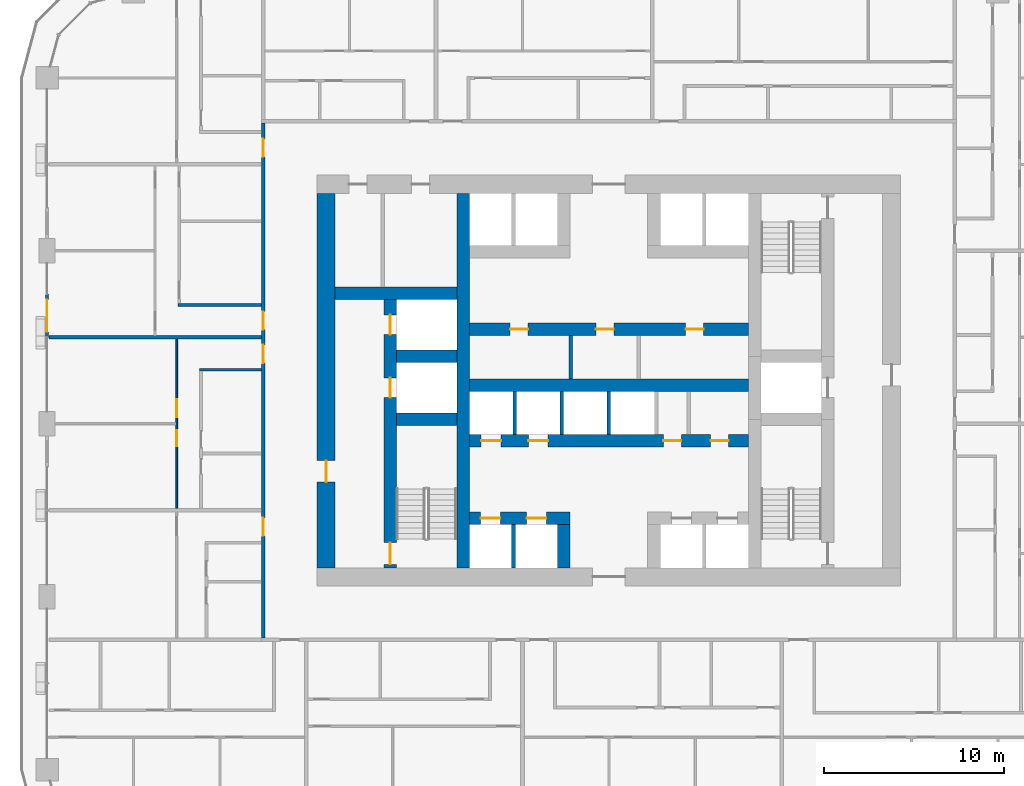
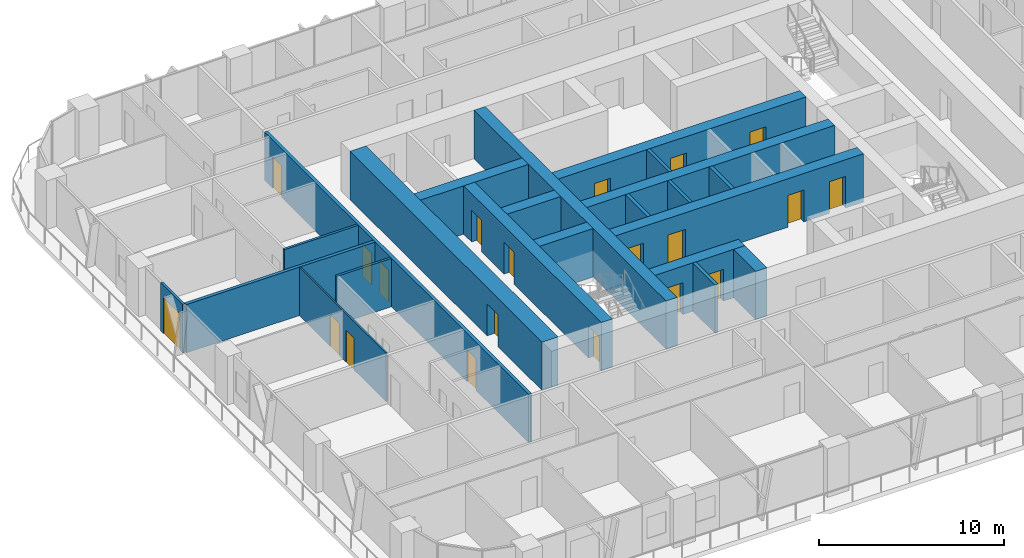
# One storey, part 10 of 21: 22 walls, 20 doors, 20 openings.
"""IFC4 building model written with IfcOpenShell, lengths in metres."""

from ifc_helpers import new_model, si_unit, direction, frame, frame_2d, origin, place, context, subcontext, project, spatial, rectangle, extrude, material, layer, layer_set, type_object, element, fill, save


model = new_model("IFC4")

# Units and contexts
model_context = context("Model", 3, precision=1e-05, world=origin(), true_north=direction((0.0, 1.0)))
body_context = subcontext(model_context, "Body", "Model", "MODEL_VIEW")
ifc_project = project(units=[si_unit("LENGTHUNIT", "METRE"), si_unit("AREAUNIT", "SQUARE_METRE"), si_unit("VOLUMEUNIT", "CUBIC_METRE"), si_unit("PLANEANGLEUNIT", "RADIAN"), si_unit("MASSUNIT", "GRAM", prefix="KILO")], contexts=[model_context])

# Site, building, storey
site_placement = place(None, origin())
site = spatial("IfcSite", under=ifc_project, at=site_placement, CompositionType="ELEMENT")
building_placement = place(site_placement, origin())
building = spatial("IfcBuilding", under=site, at=building_placement, Name="Madar Terraces", CompositionType="ELEMENT")
storey_placement = place(building_placement, frame((0.0, 0.0, 43.39990234375)))
storey = spatial("IfcBuildingStorey", under=building, at=storey_placement, Name="L10", CompositionType="ELEMENT", Elevation=43.39990234375)

# Wall, openings, doors
ifc_material_1 = material(Name="Concrete C80/95", Category="concrete")
ifc_layer_1 = layer(ifc_material_1, 0.699951171875)
ifc_layer_set_1 = layer_set([ifc_layer_1], Name="Concrete C80/95 (CIW1 RC wall 700)")
wall_type_1 = type_object("IfcWallType", Name="CIW1 RC wall 700", PredefinedType="SHEAR", material=ifc_layer_set_1)
wall_1_placement = place(storey_placement, frame((19.050048828125, 16.0, 0.0), z_axis=(0.0, 0.0, 1.0), x_axis=(0.0, 1.0, 0.0)))
wall_1 = element("IfcWall", 1, at=wall_1_placement, inside=storey, type_object=wall_type_1, Name="CORE SHAFT WALL", PredefinedType="SHEAR", context=body_context, shape_type="SweptSolid", body=[
    extrude(rectangle(XDim=14.89990234375, YDim=0.699951171875, at=frame_2d((7.449951171875, 0.0))), origin(), (0.0, 0.0, 1.0), 3.2001953125),
])
opening_1_placement = place(wall_1_placement, frame((9.449951171875, 0.0, 0.0)))
opening_1 = element("IfcOpeningElement", 2, at=opening_1_placement, cuts=wall_1, Name="Opening LD", PredefinedType="OPENING", context=body_context, shape_type="SweptSolid", body=[
    extrude(rectangle(XDim=1.10009765625, YDim=2.10009765625, at=frame_2d((0.550048828125, 1.050048828125))), frame((0.0, 0.35986328125, 0.0), z_axis=(0.0, -1.0, 0.0), x_axis=(1.0, 0.0, 0.0)), (0.0, 0.0, 1.0), 0.719970703125),
])
opening_2_placement = place(wall_1_placement, frame((12.949951171875, 0.0, 0.0)))
opening_2 = element("IfcOpeningElement", 3, at=opening_2_placement, cuts=wall_1, Name="Opening LD", PredefinedType="OPENING", context=body_context, shape_type="SweptSolid", body=[
    extrude(rectangle(XDim=1.10009765625, YDim=2.10009765625, at=frame_2d((0.550048828125, 1.050048828125))), frame((0.0, 0.35986328125, 0.0), z_axis=(0.0, -1.0, 0.0), x_axis=(1.0, 0.0, 0.0)), (0.0, 0.0, 1.0), 0.719970703125),
])
opening_3_placement = place(wall_1_placement, frame((0.199951171875, 0.0, 0.0)))
opening_3 = element("IfcOpeningElement", 4, at=opening_3_placement, cuts=wall_1, Name="Opening SD1", PredefinedType="OPENING", context=body_context, shape_type="SweptSolid", body=[
    extrude(rectangle(XDim=1.199951171875, YDim=2.10009765625, at=frame_2d((0.60009765625, 1.050048828125))), frame((0.0, 0.35986328125, 0.0), z_axis=(0.0, -1.0, 0.0), x_axis=(1.0, 0.0, 0.0)), (0.0, 0.0, 1.0), 0.719970703125),
])
ifc_material_2 = material(Name="Stainless steel panel", Category="steel")
door_type_1 = type_object("IfcDoorType", Name="Lift landing door 1100 x 2100", OperationType="DOUBLE_DOOR_SLIDING", PredefinedType="DOOR", material=ifc_material_2)
door_1_placement = place(opening_1_placement, origin())
door_1 = element("IfcDoor", 5, at=door_1_placement, inside=storey, type_object=door_type_1, Name="LIFT LANDING DOOR", OperationType="DOUBLE_DOOR_SLIDING", OverallHeight=2.10009765625, OverallWidth=1.10009765625, PredefinedType="DOOR", context=body_context, shape_type="SweptSolid", body=[
    extrude(rectangle(XDim=1.10009765625, YDim=2.10009765625, at=frame_2d((0.550048828125, 1.050048828125))), frame((0.0, 0.02490234375, 0.0), z_axis=(0.0, -1.0, 0.0), x_axis=(1.0, 0.0, 0.0)), (0.0, 0.0, 1.0), 0.050048828125),
])
fill(opening_1, door_1)
door_2_placement = place(opening_2_placement, origin())
door_2 = element("IfcDoor", 6, at=door_2_placement, inside=storey, type_object=door_type_1, Name="LIFT LANDING DOOR", OperationType="DOUBLE_DOOR_SLIDING", OverallHeight=2.10009765625, OverallWidth=1.10009765625, PredefinedType="DOOR", context=body_context, shape_type="SweptSolid", body=[
    extrude(rectangle(XDim=1.10009765625, YDim=2.10009765625, at=frame_2d((0.550048828125, 1.050048828125))), frame((0.0, 0.02490234375, 0.0), z_axis=(0.0, -1.0, 0.0), x_axis=(1.0, 0.0, 0.0)), (0.0, 0.0, 1.0), 0.050048828125),
])
fill(opening_2, door_2)
ifc_material_3 = material(Name="Steel door leaf", Category="steel")
door_type_2 = type_object("IfcDoorType", Name="Stair door 1200 x 2100", OperationType="NOTDEFINED", PredefinedType="DOOR", material=ifc_material_3)
door_3_placement = place(opening_3_placement, frame((1.199951171875, 0.0, 0.0), z_axis=(0.0, 0.0, 1.0), x_axis=(-1.0, 0.0, 0.0)))
door_3 = element("IfcDoor", 7, at=door_3_placement, inside=storey, type_object=door_type_2, Name="STAIR DOOR", OperationType="SINGLE_SWING_RIGHT", OverallHeight=2.10009765625, OverallWidth=1.199951171875, PredefinedType="DOOR", context=body_context, shape_type="SweptSolid", body=[
    extrude(rectangle(XDim=1.199951171875, YDim=2.10009765625, at=frame_2d((0.60009765625, 1.050048828125))), frame((0.0, 0.02490234375, 0.0), z_axis=(0.0, -1.0, 0.0), x_axis=(1.0, 0.0, 0.0)), (0.0, 0.0, 1.0), 0.050048828125),
])
fill(opening_3, door_3)

# Walls
wall_2_placement = place(storey_placement, frame((23.10009765625, 16.0, 0.0), z_axis=(0.0, 0.0, 1.0), x_axis=(0.0, 1.0, 0.0)))
element("IfcWall", 8, at=wall_2_placement, inside=storey, type_object=wall_type_1, Name="CORE SHAFT WALL", PredefinedType="SHEAR", context=body_context, shape_type="SweptSolid", body=[
    extrude(rectangle(XDim=20.800048828125, YDim=0.699951171875, at=frame_2d((10.39990234375, 0.0))), origin(), (0.0, 0.0, 1.0), 3.2001953125),
])
for number, where, z_axis, x_axis, name in (
    (9, (19.39990234375, 24.25, 0.0), (0.0, 0.0, 1.0), (1.0, 0.0, 0.0), "CORE SHAFT WALL"),
    (10, (19.39990234375, 27.75, 0.0), (0.0, 0.0, 1.0), (1.0, 0.0, 0.0), "CORE SHAFT WALL"),
):
    element("IfcWall", number, at=place(storey_placement, frame(where, z_axis=z_axis, x_axis=x_axis)), inside=storey, type_object=wall_type_1, Name=name, PredefinedType="SHEAR", context=body_context, shape_type="SweptSolid", body=[
        extrude(rectangle(XDim=3.35009765625, YDim=0.699951171875, at=frame_2d((1.675048828125, 0.0))), origin(), (0.0, 0.0, 1.0), 3.2001953125),
    ])
wall_3_placement = place(storey_placement, frame((16.0, 31.25, 0.0), z_axis=(0.0, 0.0, 1.0), x_axis=(1.0, 0.0, 0.0)))
element("IfcWall", 11, at=wall_3_placement, inside=storey, type_object=wall_type_1, Name="CORE SHAFT WALL", PredefinedType="SHEAR", context=body_context, shape_type="SweptSolid", body=[
    extrude(rectangle(XDim=6.75, YDim=0.699951171875, at=frame_2d((3.375, 0.0))), origin(), (0.0, 0.0, 1.0), 3.2001953125),
])

# Wall, openings, doors
wall_4_placement = place(storey_placement, frame((23.449951171875, 18.75, 0.0), z_axis=(0.0, 0.0, 1.0), x_axis=(1.0, 0.0, 0.0)))
wall_4 = element("IfcWall", 12, at=wall_4_placement, inside=storey, type_object=wall_type_1, Name="CORE SHAFT WALL", PredefinedType="SHEAR", context=body_context, shape_type="SweptSolid", body=[
    extrude(rectangle(XDim=5.60009765625, YDim=0.699951171875, at=frame_2d((2.800048828125, 0.0))), origin(), (0.0, 0.0, 1.0), 3.2001953125),
])
opening_4_placement = place(wall_4_placement, frame((0.625, 0.0, 0.0)))
opening_4 = element("IfcOpeningElement", 13, at=opening_4_placement, cuts=wall_4, Name="Opening LD", PredefinedType="OPENING", context=body_context, shape_type="SweptSolid", body=[
    extrude(rectangle(XDim=1.10009765625, YDim=2.10009765625, at=frame_2d((0.550048828125, 1.050048828125))), frame((0.0, 0.35986328125, 0.0), z_axis=(0.0, -1.0, 0.0), x_axis=(1.0, 0.0, 0.0)), (0.0, 0.0, 1.0), 0.719970703125),
])
opening_5_placement = place(wall_4_placement, frame((3.175048828125, 0.0, 0.0)))
opening_5 = element("IfcOpeningElement", 14, at=opening_5_placement, cuts=wall_4, Name="Opening LD", PredefinedType="OPENING", context=body_context, shape_type="SweptSolid", body=[
    extrude(rectangle(XDim=1.10009765625, YDim=2.10009765625, at=frame_2d((0.550048828125, 1.050048828125))), frame((0.0, 0.35986328125, 0.0), z_axis=(0.0, -1.0, 0.0), x_axis=(1.0, 0.0, 0.0)), (0.0, 0.0, 1.0), 0.719970703125),
])
door_4_placement = place(opening_4_placement, origin())
door_4 = element("IfcDoor", 15, at=door_4_placement, inside=storey, type_object=door_type_1, Name="LIFT LANDING DOOR", OperationType="DOUBLE_DOOR_SLIDING", OverallHeight=2.10009765625, OverallWidth=1.10009765625, PredefinedType="DOOR", context=body_context, shape_type="SweptSolid", body=[
    extrude(rectangle(XDim=1.10009765625, YDim=2.10009765625, at=frame_2d((0.550048828125, 1.050048828125))), frame((0.0, 0.02490234375, 0.0), z_axis=(0.0, -1.0, 0.0), x_axis=(1.0, 0.0, 0.0)), (0.0, 0.0, 1.0), 0.050048828125),
])
fill(opening_4, door_4)
door_5_placement = place(opening_5_placement, origin())
door_5 = element("IfcDoor", 16, at=door_5_placement, inside=storey, type_object=door_type_1, Name="LIFT LANDING DOOR", OperationType="DOUBLE_DOOR_SLIDING", OverallHeight=2.10009765625, OverallWidth=1.10009765625, PredefinedType="DOOR", context=body_context, shape_type="SweptSolid", body=[
    extrude(rectangle(XDim=1.10009765625, YDim=2.10009765625, at=frame_2d((0.550048828125, 1.050048828125))), frame((0.0, 0.02490234375, 0.0), z_axis=(0.0, -1.0, 0.0), x_axis=(1.0, 0.0, 0.0)), (0.0, 0.0, 1.0), 0.050048828125),
])
fill(opening_5, door_5)

wall_5_placement = place(storey_placement, frame((23.449951171875, 23.050048828125, 0.0), z_axis=(0.0, 0.0, 1.0), x_axis=(1.0, 0.0, 0.0)))
wall_5 = element("IfcWall", 17, at=wall_5_placement, inside=storey, type_object=wall_type_1, Name="CORE SHAFT WALL", PredefinedType="SHEAR", context=body_context, shape_type="SweptSolid", body=[
    extrude(rectangle(XDim=15.5, YDim=0.699951171875, at=frame_2d((7.75, 0.0))), origin(), (0.0, 0.0, 1.0), 3.2001953125),
])
opening_6_placement = place(wall_5_placement, frame((0.658447265625, 0.0, 0.0)))
opening_6 = element("IfcOpeningElement", 18, at=opening_6_placement, cuts=wall_5, Name="Opening LD", PredefinedType="OPENING", context=body_context, shape_type="SweptSolid", body=[
    extrude(rectangle(XDim=1.10009765625, YDim=2.10009765625, at=frame_2d((0.550048828125, 1.050048828125))), frame((0.0, 0.35986328125, 0.0), z_axis=(0.0, -1.0, 0.0), x_axis=(1.0, 0.0, 0.0)), (0.0, 0.0, 1.0), 0.719970703125),
])
opening_7_placement = place(wall_5_placement, frame((3.27490234375, 0.0, 0.0)))
opening_7 = element("IfcOpeningElement", 19, at=opening_7_placement, cuts=wall_5, Name="Opening LD", PredefinedType="OPENING", context=body_context, shape_type="SweptSolid", body=[
    extrude(rectangle(XDim=1.10009765625, YDim=2.10009765625, at=frame_2d((0.550048828125, 1.050048828125))), frame((0.0, 0.35986328125, 0.0), z_axis=(0.0, -1.0, 0.0), x_axis=(1.0, 0.0, 0.0)), (0.0, 0.0, 1.0), 0.719970703125),
])
opening_8_placement = place(wall_5_placement, frame((10.772216796875, 0.0, 0.0)))
opening_8 = element("IfcOpeningElement", 20, at=opening_8_placement, cuts=wall_5, Name="Opening KD2", PredefinedType="OPENING", context=body_context, shape_type="SweptSolid", body=[
    extrude(rectangle(XDim=1.0, YDim=2.10009765625, at=frame_2d((0.5, 1.050048828125))), frame((0.0, 0.35986328125, 0.0), z_axis=(0.0, -1.0, 0.0), x_axis=(1.0, 0.0, 0.0)), (0.0, 0.0, 1.0), 0.719970703125),
])
opening_9_placement = place(wall_5_placement, frame((13.388916015625, 0.0, 0.0)))
opening_9 = element("IfcOpeningElement", 21, at=opening_9_placement, cuts=wall_5, Name="Opening KD2", PredefinedType="OPENING", context=body_context, shape_type="SweptSolid", body=[
    extrude(rectangle(XDim=1.0, YDim=2.10009765625, at=frame_2d((0.5, 1.050048828125))), frame((0.0, 0.35986328125, 0.0), z_axis=(0.0, -1.0, 0.0), x_axis=(1.0, 0.0, 0.0)), (0.0, 0.0, 1.0), 0.719970703125),
])
door_6_placement = place(opening_6_placement, origin())
door_6 = element("IfcDoor", 22, at=door_6_placement, inside=storey, type_object=door_type_1, Name="LIFT LANDING DOOR", OperationType="DOUBLE_DOOR_SLIDING", OverallHeight=2.10009765625, OverallWidth=1.10009765625, PredefinedType="DOOR", context=body_context, shape_type="SweptSolid", body=[
    extrude(rectangle(XDim=1.10009765625, YDim=2.10009765625, at=frame_2d((0.550048828125, 1.050048828125))), frame((0.0, 0.02490234375, 0.0), z_axis=(0.0, -1.0, 0.0), x_axis=(1.0, 0.0, 0.0)), (0.0, 0.0, 1.0), 0.050048828125),
])
fill(opening_6, door_6)
door_7_placement = place(opening_7_placement, origin())
door_7 = element("IfcDoor", 23, at=door_7_placement, inside=storey, type_object=door_type_1, Name="LIFT LANDING DOOR", OperationType="DOUBLE_DOOR_SLIDING", OverallHeight=2.10009765625, OverallWidth=1.10009765625, PredefinedType="DOOR", context=body_context, shape_type="SweptSolid", body=[
    extrude(rectangle(XDim=1.10009765625, YDim=2.10009765625, at=frame_2d((0.550048828125, 1.050048828125))), frame((0.0, 0.02490234375, 0.0), z_axis=(0.0, -1.0, 0.0), x_axis=(1.0, 0.0, 0.0)), (0.0, 0.0, 1.0), 0.050048828125),
])
fill(opening_7, door_7)
ifc_material_4 = material(Name="Steel door leaf", Category="steel")
door_type_3 = type_object("IfcDoorType", Name="Service room door 1000 x 2100", OperationType="NOTDEFINED", PredefinedType="DOOR", material=ifc_material_4)
door_8_placement = place(opening_8_placement, frame((1.0, 0.0, 0.0), z_axis=(0.0, 0.0, 1.0), x_axis=(-1.0, 0.0, 0.0)))
door_8 = element("IfcDoor", 24, at=door_8_placement, inside=storey, type_object=door_type_3, Name="SERVICE ROOM DOOR", OperationType="SINGLE_SWING_LEFT", OverallHeight=2.10009765625, OverallWidth=1.0, PredefinedType="DOOR", context=body_context, shape_type="SweptSolid", body=[
    extrude(rectangle(XDim=1.0, YDim=2.10009765625, at=frame_2d((0.5, 1.050048828125))), frame((0.0, 0.02490234375, 0.0), z_axis=(0.0, -1.0, 0.0), x_axis=(1.0, 0.0, 0.0)), (0.0, 0.0, 1.0), 0.050048828125),
])
fill(opening_8, door_8)
door_9_placement = place(opening_9_placement, frame((1.0, 0.0, 0.0), z_axis=(0.0, 0.0, 1.0), x_axis=(-1.0, 0.0, 0.0)))
door_9 = element("IfcDoor", 25, at=door_9_placement, inside=storey, type_object=door_type_3, Name="SERVICE ROOM DOOR", OperationType="SINGLE_SWING_RIGHT", OverallHeight=2.10009765625, OverallWidth=1.0, PredefinedType="DOOR", context=body_context, shape_type="SweptSolid", body=[
    extrude(rectangle(XDim=1.0, YDim=2.10009765625, at=frame_2d((0.5, 1.050048828125))), frame((0.0, 0.02490234375, 0.0), z_axis=(0.0, -1.0, 0.0), x_axis=(1.0, 0.0, 0.0)), (0.0, 0.0, 1.0), 0.050048828125),
])
fill(opening_9, door_9)

# Wall
wall_6_placement = place(storey_placement, frame((23.449951171875, 26.14990234375, 0.0), z_axis=(0.0, 0.0, 1.0), x_axis=(1.0, 0.0, 0.0)))
element("IfcWall", 26, at=wall_6_placement, inside=storey, type_object=wall_type_1, Name="CORE SHAFT WALL", PredefinedType="SHEAR", context=body_context, shape_type="SweptSolid", body=[
    extrude(rectangle(XDim=15.5, YDim=0.699951171875, at=frame_2d((7.75, 0.0))), origin(), (0.0, 0.0, 1.0), 3.2001953125),
])

# Wall, openings, doors
wall_7_placement = place(storey_placement, frame((23.449951171875, 29.25, 0.0), z_axis=(0.0, 0.0, 1.0), x_axis=(1.0, 0.0, 0.0)))
wall_7 = element("IfcWall", 27, at=wall_7_placement, inside=storey, type_object=wall_type_1, Name="CORE SHAFT WALL", PredefinedType="SHEAR", context=body_context, shape_type="SweptSolid", body=[
    extrude(rectangle(XDim=15.5, YDim=0.699951171875, at=frame_2d((7.75, 0.0))), origin(), (0.0, 0.0, 1.0), 3.2001953125),
])
opening_10_placement = place(wall_7_placement, frame((2.265869140625, 0.0, 0.0)))
opening_10 = element("IfcOpeningElement", 28, at=opening_10_placement, cuts=wall_7, Name="Opening KD2", PredefinedType="OPENING", context=body_context, shape_type="SweptSolid", body=[
    extrude(rectangle(XDim=1.0, YDim=2.10009765625, at=frame_2d((0.5, 1.050048828125))), frame((0.0, 0.35986328125, 0.0), z_axis=(0.0, -1.0, 0.0), x_axis=(1.0, 0.0, 0.0)), (0.0, 0.0, 1.0), 0.719970703125),
])
opening_11_placement = place(wall_7_placement, frame((7.017578125, 0.0, 0.0)))
opening_11 = element("IfcOpeningElement", 29, at=opening_11_placement, cuts=wall_7, Name="Opening KD2", PredefinedType="OPENING", context=body_context, shape_type="SweptSolid", body=[
    extrude(rectangle(XDim=1.0, YDim=2.10009765625, at=frame_2d((0.5, 1.050048828125))), frame((0.0, 0.35986328125, 0.0), z_axis=(0.0, -1.0, 0.0), x_axis=(1.0, 0.0, 0.0)), (0.0, 0.0, 1.0), 0.719970703125),
])
opening_12_placement = place(wall_7_placement, frame((12.001708984375, 0.0, 0.0)))
opening_12 = element("IfcOpeningElement", 30, at=opening_12_placement, cuts=wall_7, Name="Opening KD2", PredefinedType="OPENING", context=body_context, shape_type="SweptSolid", body=[
    extrude(rectangle(XDim=1.0, YDim=2.10009765625, at=frame_2d((0.5, 1.050048828125))), frame((0.0, 0.35986328125, 0.0), z_axis=(0.0, -1.0, 0.0), x_axis=(1.0, 0.0, 0.0)), (0.0, 0.0, 1.0), 0.719970703125),
])
door_10_placement = place(opening_10_placement, origin())
door_10 = element("IfcDoor", 31, at=door_10_placement, inside=storey, type_object=door_type_3, Name="SERVICE ROOM DOOR", OperationType="SINGLE_SWING_LEFT", OverallHeight=2.10009765625, OverallWidth=1.0, PredefinedType="DOOR", context=body_context, shape_type="SweptSolid", body=[
    extrude(rectangle(XDim=1.0, YDim=2.10009765625, at=frame_2d((0.5, 1.050048828125))), frame((0.0, 0.02490234375, 0.0), z_axis=(0.0, -1.0, 0.0), x_axis=(1.0, 0.0, 0.0)), (0.0, 0.0, 1.0), 0.050048828125),
])
fill(opening_10, door_10)
door_11_placement = place(opening_11_placement, origin())
door_11 = element("IfcDoor", 32, at=door_11_placement, inside=storey, type_object=door_type_3, Name="SERVICE ROOM DOOR", OperationType="SINGLE_SWING_RIGHT", OverallHeight=2.10009765625, OverallWidth=1.0, PredefinedType="DOOR", context=body_context, shape_type="SweptSolid", body=[
    extrude(rectangle(XDim=1.0, YDim=2.10009765625, at=frame_2d((0.5, 1.050048828125))), frame((0.0, 0.02490234375, 0.0), z_axis=(0.0, -1.0, 0.0), x_axis=(1.0, 0.0, 0.0)), (0.0, 0.0, 1.0), 0.050048828125),
])
fill(opening_11, door_11)
door_12_placement = place(opening_12_placement, origin())
door_12 = element("IfcDoor", 33, at=door_12_placement, inside=storey, type_object=door_type_3, Name="SERVICE ROOM DOOR", OperationType="SINGLE_SWING_LEFT", OverallHeight=2.10009765625, OverallWidth=1.0, PredefinedType="DOOR", context=body_context, shape_type="SweptSolid", body=[
    extrude(rectangle(XDim=1.0, YDim=2.10009765625, at=frame_2d((0.5, 1.050048828125))), frame((0.0, 0.02490234375, 0.0), z_axis=(0.0, -1.0, 0.0), x_axis=(1.0, 0.0, 0.0)), (0.0, 0.0, 1.0), 0.050048828125),
])
fill(opening_12, door_12)

# Wall
wall_8_placement = place(storey_placement, frame((28.699951171875, 16.0, 0.0), z_axis=(0.0, 0.0, 1.0), x_axis=(0.0, 1.0, 0.0)))
element("IfcWall", 34, at=wall_8_placement, inside=storey, type_object=wall_type_1, Name="CORE SHAFT WALL", PredefinedType="SHEAR", context=body_context, shape_type="SweptSolid", body=[
    extrude(rectangle(XDim=2.39990234375, YDim=0.699951171875, at=frame_2d((1.199951171875, 0.0))), origin(), (0.0, 0.0, 1.0), 3.2001953125),
])

# Wall, opening, door
ifc_material_5 = material(Name="Concrete C80/95", Category="concrete")
ifc_layer_2 = layer(ifc_material_5, 1.0)
ifc_layer_set_2 = layer_set([ifc_layer_2], Name="Concrete C80/95 (CRW1 RC wall 1000)")
wall_type_2 = type_object("IfcWallType", Name="CRW1 RC wall 1000", PredefinedType="SHEAR", material=ifc_layer_set_2)
wall_9_placement = place(storey_placement, frame((15.5, 16.0, 0.0), z_axis=(0.0, 0.0, 1.0), x_axis=(0.0, 1.0, 0.0)))
wall_9 = element("IfcWall", 35, at=wall_9_placement, inside=storey, type_object=wall_type_2, Name="CORE OUTER WALL", PredefinedType="SHEAR", context=body_context, shape_type="SweptSolid", body=[
    extrude(rectangle(XDim=20.800048828125, YDim=1.0, at=frame_2d((10.39990234375, 0.0))), origin(), (0.0, 0.0, 1.0), 3.2001953125),
])
opening_13_placement = place(wall_9_placement, frame((4.760009765625, 0.0, 0.0)))
opening_13 = element("IfcOpeningElement", 36, at=opening_13_placement, cuts=wall_9, Name="Opening SD1", PredefinedType="OPENING", context=body_context, shape_type="SweptSolid", body=[
    extrude(rectangle(XDim=1.199951171875, YDim=2.10009765625, at=frame_2d((0.60009765625, 1.050048828125))), frame((0.0, 0.510009765625, 0.0), z_axis=(0.0, -1.0, 0.0), x_axis=(1.0, 0.0, 0.0)), (0.0, 0.0, 1.0), 1.02001953125),
])
door_13_placement = place(opening_13_placement, frame((1.199951171875, 0.0, 0.0), z_axis=(0.0, 0.0, 1.0), x_axis=(-1.0, 0.0, 0.0)))
door_13 = element("IfcDoor", 37, at=door_13_placement, inside=storey, type_object=door_type_2, Name="STAIR DOOR", OperationType="SINGLE_SWING_LEFT", OverallHeight=2.10009765625, OverallWidth=1.199951171875, PredefinedType="DOOR", context=body_context, shape_type="SweptSolid", body=[
    extrude(rectangle(XDim=1.199951171875, YDim=2.10009765625, at=frame_2d((0.60009765625, 1.050048828125))), frame((0.0, 0.02490234375, 0.0), z_axis=(0.0, -1.0, 0.0), x_axis=(1.0, 0.0, 0.0)), (0.0, 0.0, 1.0), 0.050048828125),
])
fill(opening_13, door_13)

# Walls
ifc_material_6 = material(Name="Masonry blockwork", Category="masonry")
ifc_layer_3 = layer(ifc_material_6, 0.199951171875)
ifc_layer_set_3 = layer_set([ifc_layer_3], Name="Core partition 200 blockwork")
wall_type_3 = type_object("IfcWallType", Name="Core partition 200 blockwork", PredefinedType="PARTITIONING", material=ifc_layer_set_3)
wall_10_placement = place(storey_placement, frame((29.081787109375, 26.5, 0.0), z_axis=(0.0, 0.0, 1.0), x_axis=(0.0, 1.0, 0.0)))
element("IfcWall", 38, at=wall_10_placement, inside=storey, type_object=wall_type_3, Name="SERVICE ROOM PARTITION", PredefinedType="PARTITIONING", context=body_context, shape_type="SweptSolid", body=[
    extrude(rectangle(XDim=2.39990234375, YDim=0.199951171875, at=frame_2d((1.199951171875, 0.0))), origin(), (0.0, 0.0, 1.0), 3.2001953125),
])
ifc_material_7 = material(Name="Concrete C40/50", Category="concrete")
ifc_layer_4 = layer(ifc_material_7, 0.199951171875)
ifc_layer_set_4 = layer_set([ifc_layer_4], Name="Core shaft dividing wall 200 C40/50")
wall_type_4 = type_object("IfcWallType", Name="Core shaft dividing wall 200 C40/50", PredefinedType="SOLIDWALL", material=ifc_layer_set_4)
for number, where, z_axis, x_axis, name in (
    (39, (25.966552734375, 23.39990234375, 0.0), (0.0, 0.0, 1.0), (0.0, 1.0, 0.0), "SHAFT DIVIDING WALL"),
    (40, (28.583251953125, 23.39990234375, 0.0), (0.0, 0.0, 1.0), (0.0, 1.0, 0.0), "SHAFT DIVIDING WALL"),
    (41, (31.199951171875, 23.39990234375, 0.0), (0.0, 0.0, 1.0), (0.0, 1.0, 0.0), "SHAFT DIVIDING WALL"),
):
    element("IfcWall", number, at=place(storey_placement, frame(where, z_axis=z_axis, x_axis=x_axis)), inside=storey, type_object=wall_type_4, Name=name, PredefinedType="SOLIDWALL", context=body_context, shape_type="SweptSolid", body=[
        extrude(rectangle(XDim=2.400146484375, YDim=0.199951171875, at=frame_2d((1.2001953125, 0.0))), origin(), (0.0, 0.0, 1.0), 3.2001953125),
    ])
wall_11_placement = place(storey_placement, frame((25.89990234375, 16.0, 0.0), z_axis=(0.0, 0.0, 1.0), x_axis=(0.0, 1.0, 0.0)))
element("IfcWall", 42, at=wall_11_placement, inside=storey, type_object=wall_type_4, Name="SHAFT DIVIDING WALL", PredefinedType="SOLIDWALL", context=body_context, shape_type="SweptSolid", body=[
    extrude(rectangle(XDim=2.39990234375, YDim=0.199951171875, at=frame_2d((1.199951171875, 0.0))), origin(), (0.0, 0.0, 1.0), 3.2001953125),
])

# Wall, opening, door
ifc_material_8 = material(Name="Aluminium composite panel, black, over insulated backing", Category="aluminium")
ifc_layer_5 = layer(ifc_material_8, 0.14990234375)
ifc_layer_set_5 = layer_set([ifc_layer_5], Name="Facade bay panel 150")
wall_type_5 = type_object("IfcWallType", Name="Facade bay panel 150", PredefinedType="SOLIDWALL", material=ifc_layer_set_5)
wall_12_placement = place(storey_placement, frame((0.0, 31.199951171875, 0.0), z_axis=(0.0, 0.0, 1.0), x_axis=(0.0, -1.0, 0.0)))
wall_12 = element("IfcWall", 43, at=wall_12_placement, inside=storey, type_object=wall_type_5, Name="Facade bay panel", PredefinedType="SOLIDWALL", context=body_context, shape_type="SweptSolid", body=[
    extrude(rectangle(XDim=2.39990234375, YDim=0.14990234375, at=frame_2d((1.199951171875, 0.0))), origin(), (0.0, 0.0, 1.0), 3.2001953125),
])
opening_14_placement = place(wall_12_placement, frame((0.300048828125, 0.0, 0.0)))
opening_14 = element("IfcOpeningElement", 44, at=opening_14_placement, cuts=wall_12, Name="Opening ED1", PredefinedType="OPENING", context=body_context, shape_type="SweptSolid", body=[
    extrude(rectangle(XDim=1.800048828125, YDim=2.39990234375, at=frame_2d((0.89990234375, 1.199951171875))), frame((0.0, 0.0849609375, 0.0), z_axis=(0.0, -1.0, 0.0), x_axis=(1.0, 0.0, 0.0)), (0.0, 0.0, 1.0), 0.169921875),
])
ifc_material_9 = material(Name="Glass, clear, with black aluminium frame", Category="aluminium")
door_type_4 = type_object("IfcDoorType", Name="Balcony and terrace sliding door 1800 x 2400", OperationType="SLIDING_TO_LEFT", PredefinedType="DOOR", material=ifc_material_9)
door_14_placement = place(opening_14_placement, origin())
door_14 = element("IfcDoor", 45, at=door_14_placement, inside=storey, type_object=door_type_4, Name="Balcony door", OperationType="SLIDING_TO_RIGHT", OverallHeight=2.39990234375, OverallWidth=1.800048828125, PredefinedType="DOOR", context=body_context, shape_type="SweptSolid", body=[
    extrude(rectangle(XDim=1.800048828125, YDim=2.39990234375, at=frame_2d((0.89990234375, 1.199951171875))), frame((0.0, 0.02490234375, 0.0), z_axis=(0.0, -1.0, 0.0), x_axis=(1.0, 0.0, 0.0)), (0.0, 0.0, 1.0), 0.050048828125),
])
fill(opening_14, door_14)

# Wall, openings, doors
ifc_material_10 = material(Name="Gypsum board on steel studs", Category="steel")
ifc_layer_6 = layer(ifc_material_10, 0.10009765625)
ifc_layer_set_6 = layer_set([ifc_layer_6], Name="Flat partition 100")
wall_type_6 = type_object("IfcWallType", Name="Flat partition 100", PredefinedType="PARTITIONING", material=ifc_layer_set_6)
wall_13_placement = place(storey_placement, frame((7.199951171875, 19.300048828125, 0.0), z_axis=(0.0, 0.0, 1.0), x_axis=(0.0, 1.0, 0.0)))
wall_13 = element("IfcWall", 46, at=wall_13_placement, inside=storey, type_object=wall_type_6, Name="Flat partition 100", PredefinedType="PARTITIONING", context=body_context, shape_type="SweptSolid", body=[
    extrude(rectangle(XDim=9.39990234375, YDim=0.10009765625, at=frame_2d((4.699951171875, 0.0))), origin(), (0.0, 0.0, 1.0), 3.2001953125),
])
opening_15_placement = place(wall_13_placement, frame((5.050048828125, 0.0, 0.0)))
opening_15 = element("IfcOpeningElement", 47, at=opening_15_placement, cuts=wall_13, Name="Opening D3", PredefinedType="OPENING", context=body_context, shape_type="SweptSolid", body=[
    extrude(rectangle(XDim=1.0, YDim=2.10009765625, at=frame_2d((0.5, 1.050048828125))), frame((0.0, 0.06005859375, 0.0), z_axis=(0.0, -1.0, 0.0), x_axis=(1.0, 0.0, 0.0)), (0.0, 0.0, 1.0), 0.1201171875),
])
opening_16_placement = place(wall_13_placement, frame((3.449951171875, 0.0, 0.0)))
opening_16 = element("IfcOpeningElement", 48, at=opening_16_placement, cuts=wall_13, Name="Opening D2", PredefinedType="OPENING", context=body_context, shape_type="SweptSolid", body=[
    extrude(rectangle(XDim=0.89990234375, YDim=2.10009765625, at=frame_2d((0.449951171875, 1.050048828125))), frame((0.0, 0.06005859375, 0.0), z_axis=(0.0, -1.0, 0.0), x_axis=(1.0, 0.0, 0.0)), (0.0, 0.0, 1.0), 0.1201171875),
])
ifc_material_11 = material(Name="Timber door leaf", Category="wood")
door_type_5 = type_object("IfcDoorType", Name="Flat living room door 1000", OperationType="NOTDEFINED", PredefinedType="DOOR", material=ifc_material_11)
door_15_placement = place(opening_15_placement, origin())
door_15 = element("IfcDoor", 49, at=door_15_placement, inside=storey, type_object=door_type_5, Name="Flat living room door 1000", OperationType="SINGLE_SWING_LEFT", OverallHeight=2.10009765625, OverallWidth=1.0, PredefinedType="DOOR", context=body_context, shape_type="SweptSolid", body=[
    extrude(rectangle(XDim=1.0, YDim=2.10009765625, at=frame_2d((0.5, 1.050048828125))), frame((0.0, 0.02490234375, 0.0), z_axis=(0.0, -1.0, 0.0), x_axis=(1.0, 0.0, 0.0)), (0.0, 0.0, 1.0), 0.050048828125),
])
fill(opening_15, door_15)
ifc_material_12 = material(Name="Timber door leaf", Category="wood")
door_type_6 = type_object("IfcDoorType", Name="Flat room door 900", OperationType="NOTDEFINED", PredefinedType="DOOR", material=ifc_material_12)
door_16_placement = place(opening_16_placement, origin())
door_16 = element("IfcDoor", 50, at=door_16_placement, inside=storey, type_object=door_type_6, Name="Flat room door 900", OperationType="SINGLE_SWING_RIGHT", OverallHeight=2.10009765625, OverallWidth=0.89990234375, PredefinedType="DOOR", context=body_context, shape_type="SweptSolid", body=[
    extrude(rectangle(XDim=0.89990234375, YDim=2.10009765625, at=frame_2d((0.449951171875, 1.050048828125))), frame((0.0, 0.02490234375, 0.0), z_axis=(0.0, -1.0, 0.0), x_axis=(1.0, 0.0, 0.0)), (0.0, 0.0, 1.0), 0.050048828125),
])
fill(opening_16, door_16)

ifc_material_13 = material(Name="Lightweight blockwork", Category="masonry")
ifc_layer_7 = layer(ifc_material_13, 0.199951171875)
ifc_layer_set_7 = layer_set([ifc_layer_7], Name="Flat party and entrance wall 200")
wall_type_7 = type_object("IfcWallType", Name="Flat party and entrance wall 200", PredefinedType="PARTITIONING", material=ifc_layer_set_7)
wall_14_placement = place(storey_placement, frame((12.0, 12.10009765625, 0.0), z_axis=(0.0, 0.0, 1.0), x_axis=(0.0, 1.0, 0.0)))
wall_14 = element("IfcWall", 51, at=wall_14_placement, inside=storey, type_object=wall_type_7, Name="Flat party and entrance wall 200", PredefinedType="PARTITIONING", context=body_context, shape_type="SweptSolid", body=[
    extrude(rectangle(XDim=28.599853515625, YDim=0.199951171875, at=frame_2d((14.2998046875, 0.0))), origin(), (0.0, 0.0, 1.0), 3.2001953125),
])
opening_17_placement = place(wall_14_placement, frame((26.72509765625, 0.0, 0.0)))
opening_17 = element("IfcOpeningElement", 52, at=opening_17_placement, cuts=wall_14, Name="Opening D1", PredefinedType="OPENING", context=body_context, shape_type="SweptSolid", body=[
    extrude(rectangle(XDim=1.0, YDim=2.10009765625, at=frame_2d((0.5, 1.050048828125))), frame((0.0, 0.10986328125, 0.0), z_axis=(0.0, -1.0, 0.0), x_axis=(1.0, 0.0, 0.0)), (0.0, 0.0, 1.0), 0.219970703125),
])
opening_18_placement = place(wall_14_placement, frame((17.125, 0.0, 0.0)))
opening_18 = element("IfcOpeningElement", 53, at=opening_18_placement, cuts=wall_14, Name="Opening D1", PredefinedType="OPENING", context=body_context, shape_type="SweptSolid", body=[
    extrude(rectangle(XDim=1.0, YDim=2.10009765625, at=frame_2d((0.5, 1.050048828125))), frame((0.0, 0.10986328125, 0.0), z_axis=(0.0, -1.0, 0.0), x_axis=(1.0, 0.0, 0.0)), (0.0, 0.0, 1.0), 0.219970703125),
])
opening_19_placement = place(wall_14_placement, frame((15.27490234375, 0.0, 0.0)))
opening_19 = element("IfcOpeningElement", 54, at=opening_19_placement, cuts=wall_14, Name="Opening D1", PredefinedType="OPENING", context=body_context, shape_type="SweptSolid", body=[
    extrude(rectangle(XDim=1.0, YDim=2.10009765625, at=frame_2d((0.5, 1.050048828125))), frame((0.0, 0.10986328125, 0.0), z_axis=(0.0, -1.0, 0.0), x_axis=(1.0, 0.0, 0.0)), (0.0, 0.0, 1.0), 0.219970703125),
])
opening_20_placement = place(wall_14_placement, frame((5.675048828125, 0.0, 0.0)))
opening_20 = element("IfcOpeningElement", 55, at=opening_20_placement, cuts=wall_14, Name="Opening D1", PredefinedType="OPENING", context=body_context, shape_type="SweptSolid", body=[
    extrude(rectangle(XDim=1.0, YDim=2.10009765625, at=frame_2d((0.5, 1.050048828125))), frame((0.0, 0.10986328125, 0.0), z_axis=(0.0, -1.0, 0.0), x_axis=(1.0, 0.0, 0.0)), (0.0, 0.0, 1.0), 0.219970703125),
])
ifc_material_14 = material(Name="Timber fire door leaf", Category="wood")
door_type_7 = type_object("IfcDoorType", Name="Flat entrance door 1000 FD30S", OperationType="NOTDEFINED", PredefinedType="DOOR", material=ifc_material_14)
door_17_placement = place(opening_17_placement, origin())
door_17 = element("IfcDoor", 56, at=door_17_placement, inside=storey, type_object=door_type_7, Name="Flat entrance door 1000 FD30S", OperationType="SINGLE_SWING_LEFT", OverallHeight=2.10009765625, OverallWidth=1.0, PredefinedType="DOOR", context=body_context, shape_type="SweptSolid", body=[
    extrude(rectangle(XDim=1.0, YDim=2.10009765625, at=frame_2d((0.5, 1.050048828125))), frame((0.0, 0.02490234375, 0.0), z_axis=(0.0, -1.0, 0.0), x_axis=(1.0, 0.0, 0.0)), (0.0, 0.0, 1.0), 0.050048828125),
])
fill(opening_17, door_17)
door_18_placement = place(opening_18_placement, origin())
door_18 = element("IfcDoor", 57, at=door_18_placement, inside=storey, type_object=door_type_7, Name="Flat entrance door 1000 FD30S", OperationType="SINGLE_SWING_LEFT", OverallHeight=2.10009765625, OverallWidth=1.0, PredefinedType="DOOR", context=body_context, shape_type="SweptSolid", body=[
    extrude(rectangle(XDim=1.0, YDim=2.10009765625, at=frame_2d((0.5, 1.050048828125))), frame((0.0, 0.02490234375, 0.0), z_axis=(0.0, -1.0, 0.0), x_axis=(1.0, 0.0, 0.0)), (0.0, 0.0, 1.0), 0.050048828125),
])
fill(opening_18, door_18)
door_19_placement = place(opening_19_placement, origin())
door_19 = element("IfcDoor", 58, at=door_19_placement, inside=storey, type_object=door_type_7, Name="Flat entrance door 1000 FD30S", OperationType="SINGLE_SWING_RIGHT", OverallHeight=2.10009765625, OverallWidth=1.0, PredefinedType="DOOR", context=body_context, shape_type="SweptSolid", body=[
    extrude(rectangle(XDim=1.0, YDim=2.10009765625, at=frame_2d((0.5, 1.050048828125))), frame((0.0, 0.02490234375, 0.0), z_axis=(0.0, -1.0, 0.0), x_axis=(1.0, 0.0, 0.0)), (0.0, 0.0, 1.0), 0.050048828125),
])
fill(opening_19, door_19)
door_20_placement = place(opening_20_placement, origin())
door_20 = element("IfcDoor", 59, at=door_20_placement, inside=storey, type_object=door_type_7, Name="Flat entrance door 1000 FD30S", OperationType="SINGLE_SWING_RIGHT", OverallHeight=2.10009765625, OverallWidth=1.0, PredefinedType="DOOR", context=body_context, shape_type="SweptSolid", body=[
    extrude(rectangle(XDim=1.0, YDim=2.10009765625, at=frame_2d((0.5, 1.050048828125))), frame((0.0, 0.02490234375, 0.0), z_axis=(0.0, -1.0, 0.0), x_axis=(1.0, 0.0, 0.0)), (0.0, 0.0, 1.0), 0.050048828125),
])
fill(opening_20, door_20)

# Walls
wall_15_placement = place(storey_placement, frame((0.10009765625, 28.800048828125, 0.0), z_axis=(0.0, 0.0, 1.0), x_axis=(1.0, 0.0, 0.0)))
element("IfcWall", 60, at=wall_15_placement, inside=storey, type_object=wall_type_7, Name="Flat party and entrance wall 200", PredefinedType="PARTITIONING", context=body_context, shape_type="SweptSolid", body=[
    extrude(rectangle(XDim=11.7998046875, YDim=0.199951171875, at=frame_2d((5.89990234375, 0.0))), origin(), (0.0, 0.0, 1.0), 3.2001953125),
])
ifc_material_15 = material(Name="Lightweight blockwork", Category="masonry")
ifc_layer_8 = layer(ifc_material_15, 0.14990234375)
ifc_layer_set_8 = layer_set([ifc_layer_8], Name="Flat wet-room partition 150")
wall_type_8 = type_object("IfcWallType", Name="Flat wet-room partition 150", PredefinedType="PARTITIONING", material=ifc_layer_set_8)
wall_16_placement = place(storey_placement, frame((11.89990234375, 30.60009765625, 0.0), z_axis=(0.0, 0.0, 1.0), x_axis=(-1.0, 0.0, 0.0)))
element("IfcWall", 61, at=wall_16_placement, inside=storey, type_object=wall_type_8, Name="Flat wet-room partition 150", PredefinedType="PARTITIONING", context=body_context, shape_type="SweptSolid", body=[
    extrude(rectangle(XDim=4.625, YDim=0.14990234375, at=frame_2d((2.3125, 0.0))), origin(), (0.0, 0.0, 1.0), 3.2001953125),
])
wall_17_placement = place(storey_placement, frame((11.89990234375, 27.0, 0.0), z_axis=(0.0, 0.0, 1.0), x_axis=(-1.0, 0.0, 0.0)))
element("IfcWall", 62, at=wall_17_placement, inside=storey, type_object=wall_type_8, Name="Flat wet-room partition 150", PredefinedType="PARTITIONING", context=body_context, shape_type="SweptSolid", body=[
    extrude(rectangle(XDim=3.4248046875, YDim=0.14990234375, at=frame_2d((1.71240234375, 0.0))), origin(), (0.0, 0.0, 1.0), 3.2001953125),
])

save(model, "model.ifc")
